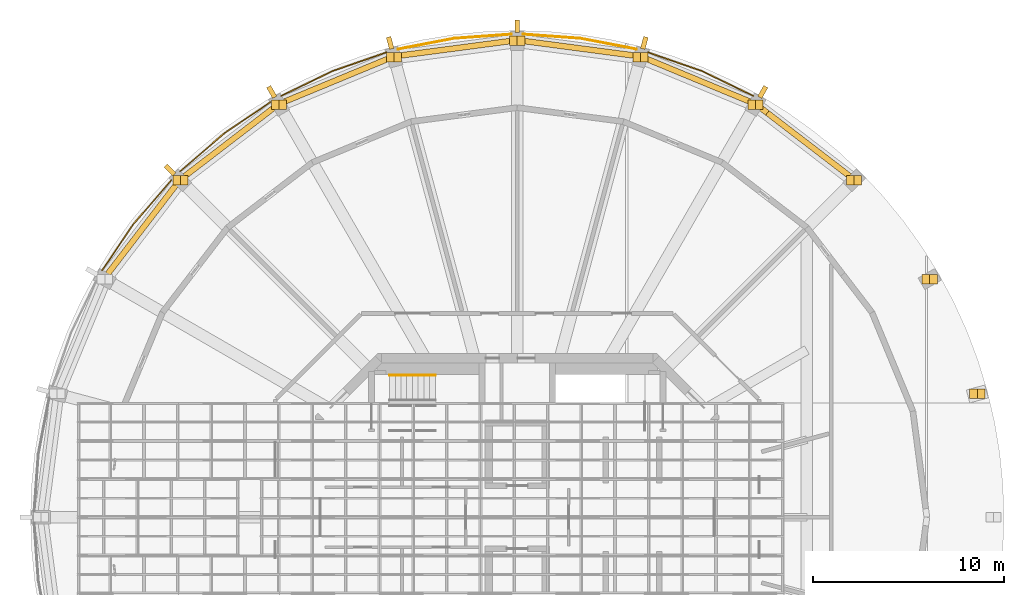
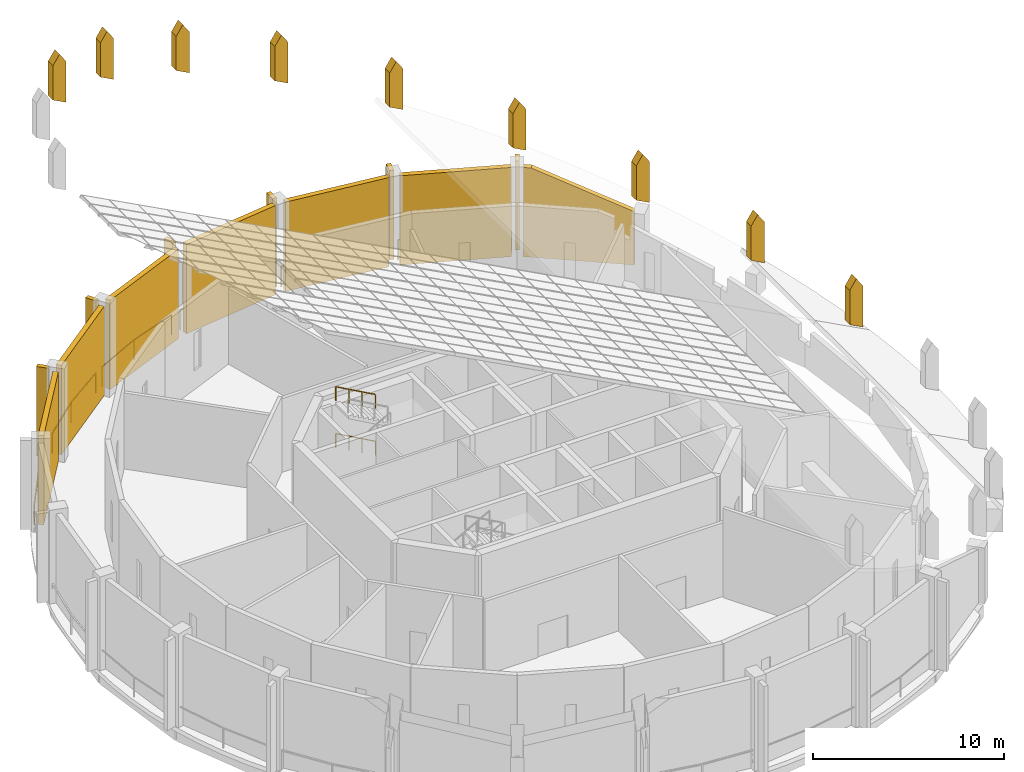
# One storey, part 19 of 19: 15 coverings, 8 railings, 7 shading devices.
"""IFC4 building model written with IfcOpenShell, lengths in metres."""

from ifc_helpers import new_model, si_unit, direction, frame, origin, origin_2d, place, context, subcontext, project, spatial, polyline, rectangle, outline, extrude, material, material_profile, profile_set, type_object, element, save


model = new_model("IFC4")

# Units and contexts
model_context = context("Model", 3, precision=1e-05, world=origin(), true_north=direction((0.0, 1.0)))
body_context = subcontext(model_context, "Body", "Model", "MODEL_VIEW")
ifc_project = project(units=[si_unit("LENGTHUNIT", "METRE"), si_unit("AREAUNIT", "SQUARE_METRE"), si_unit("VOLUMEUNIT", "CUBIC_METRE"), si_unit("PLANEANGLEUNIT", "RADIAN"), si_unit("MASSUNIT", "GRAM", prefix="KILO")], contexts=[model_context])

# Site, building, storey
site_placement = place(None, origin())
site = spatial("IfcSite", under=ifc_project, at=site_placement, CompositionType="ELEMENT")
building_placement = place(site_placement, origin())
building = spatial("IfcBuilding", under=site, at=building_placement, Name="Torre Triforio", CompositionType="ELEMENT")
storey_placement = place(building_placement, frame((0.0, 0.0, 290.800048828125)))
storey = spatial("IfcBuildingStorey", under=building, at=storey_placement, Name="RF-1", CompositionType="ELEMENT", Elevation=290.800048828125)

# Railings
ifc_material_1 = material(Name="Stainless steel AISI 316", Category="steel")
railing_type_1 = type_object("IfcRailingType", Name="HANDRAIL 920", PredefinedType="HANDRAIL", material=ifc_material_1)
for number, where, name in (
    (1, (-4.300048828125, 7.449951171875, 1.66650390625), "Handrail ST1"),
    (2, (-4.300048828125, 7.449951171875, 4.66650390625), "Handrail ST1"),
):
    element("IfcRailing", number, at=place(storey_placement, frame(where)), inside=storey, type_object=railing_type_1, Name=name, PredefinedType="HANDRAIL", context=body_context, shape_type="SweptSolid", body=[
        extrude(rectangle(XDim=0.048095703125, YDim=0.048095703125, at=origin_2d()), frame((0.0, 0.0, 0.89599609375), z_axis=(-0.874123717778, 0.0, 0.485703331282), x_axis=(0.0, -1.0, 0.0)), (0.0, 0.0, 1.0), 2.74560546875),
        extrude(rectangle(XDim=0.0419921875, YDim=0.0419921875, at=origin_2d()), origin(), (0.0, 0.0, 1.0), 0.871826171875),
        extrude(rectangle(XDim=0.0419921875, YDim=0.0419921875, at=origin_2d()), frame((-0.800048828125, 0.0, 0.444580078125)), (0.0, 0.0, 1.0), 0.871826171875),
        extrude(rectangle(XDim=0.0419921875, YDim=0.0419921875, at=origin_2d()), frame((-1.599853515625, 0.0, 0.888916015625)), (0.0, 0.0, 1.0), 0.871826171875),
        extrude(rectangle(XDim=0.0419921875, YDim=0.0419921875, at=origin_2d()), frame((-2.39990234375, 0.0, 1.33349609375)), (0.0, 0.0, 1.0), 0.871826171875),
    ])
railing_type_2 = type_object("IfcRailingType", Name="Loggia guard 1300", PredefinedType="GUARDRAIL", material=ifc_material_1)
railing_1_placement = place(storey_placement, frame((12.39794921875, 22.11376953125, 0.0)))
element("IfcRailing", 3, at=railing_1_placement, inside=storey, type_object=railing_type_2, Name="Loggia guard RF-1 bay 05", PredefinedType="GUARDRAIL", context=body_context, shape_type="SweptSolid", body=[
    extrude(rectangle(XDim=0.050048828125, YDim=0.050048828125, at=origin_2d()), frame((0.0, 0.0, 1.27490234375), z_axis=(-0.899945864081, 0.43600165335, 0.0), x_axis=(-0.43600165335, -0.899945864081, 0.0)), (0.0, 0.0, 1.0), 2.996826171875),
    extrude(rectangle(XDim=0.050048828125, YDim=0.050048828125, at=origin_2d()), frame((-2.697021484375, 1.306640625, 1.27490234375), z_axis=(-0.944674716123, 0.328008659518, 0.0), x_axis=(-0.328008659518, -0.944674716123, 0.0)), (0.0, 0.0, 1.0), 2.99658203125),
    extrude(rectangle(XDim=0.0400390625, YDim=0.0400390625, at=origin_2d()), origin(), (0.0, 0.0, 1.0), 1.25),
    extrude(rectangle(XDim=0.0400390625, YDim=0.0400390625, at=origin_2d()), frame((-2.697021484375, 1.306640625, 0.0)), (0.0, 0.0, 1.0), 1.25),
    extrude(rectangle(XDim=0.0400390625, YDim=0.0400390625, at=origin_2d()), frame((-5.52783203125, 2.28955078125, 0.0)), (0.0, 0.0, 1.0), 1.25),
])
railing_2_placement = place(storey_placement, frame((6.251953125, 24.569091796875, 0.0)))
element("IfcRailing", 4, at=railing_2_placement, inside=storey, type_object=railing_type_2, Name="Loggia guard RF-1 bay 06", PredefinedType="GUARDRAIL", context=body_context, shape_type="SweptSolid", body=[
    extrude(rectangle(XDim=0.050048828125, YDim=0.050048828125, at=origin_2d()), frame((0.0, 0.0, 1.27490234375), z_axis=(-0.98213116955, 0.18819767745, 0.0), x_axis=(-0.18819767745, -0.98213116955, 0.0)), (0.0, 0.0, 1.0), 2.99658203125),
    extrude(rectangle(XDim=0.050048828125, YDim=0.050048828125, at=origin_2d()), frame((-2.943115234375, 0.56396484375, 1.27490234375), z_axis=(-0.997373634133, 0.072428129451, 0.0), x_axis=(-0.072428129451, -0.997373634133, 0.0)), (0.0, 0.0, 1.0), 2.99658203125),
    extrude(rectangle(XDim=0.0400390625, YDim=0.0400390625, at=origin_2d()), origin(), (0.0, 0.0, 1.0), 1.25),
    extrude(rectangle(XDim=0.0400390625, YDim=0.0400390625, at=origin_2d()), frame((-2.943115234375, 0.56396484375, 0.0)), (0.0, 0.0, 1.0), 1.25),
    extrude(rectangle(XDim=0.0400390625, YDim=0.0400390625, at=origin_2d()), frame((-5.931884765625, 0.781005859375, 0.0)), (0.0, 0.0, 1.0), 1.25),
])
railing_3_placement = place(storey_placement, frame((-0.320068359375, 25.35009765625, 0.0)))
element("IfcRailing", 5, at=railing_3_placement, inside=storey, type_object=railing_type_2, Name="Loggia guard RF-1 bay 07", PredefinedType="GUARDRAIL", context=body_context, shape_type="SweptSolid", body=[
    extrude(rectangle(XDim=0.050048828125, YDim=0.050048828125, at=origin_2d()), frame((0.0, 0.0, 1.27490234375), z_axis=(-0.997373634133, -0.072428129451, 0.0), x_axis=(0.072428129451, -0.997373634133, 0.0)), (0.0, 0.0, 1.0), 2.99658203125),
    extrude(rectangle(XDim=0.050048828125, YDim=0.050048828125, at=origin_2d()), frame((-2.98876953125, -0.217041015625, 1.27490234375), z_axis=(-0.98213116955, -0.18819767745, 0.0), x_axis=(0.18819767745, -0.98213116955, 0.0)), (0.0, 0.0, 1.0), 2.99658203125),
    extrude(rectangle(XDim=0.0400390625, YDim=0.0400390625, at=origin_2d()), origin(), (0.0, 0.0, 1.0), 1.25),
    extrude(rectangle(XDim=0.0400390625, YDim=0.0400390625, at=origin_2d()), frame((-2.98876953125, -0.217041015625, 0.0)), (0.0, 0.0, 1.0), 1.25),
    extrude(rectangle(XDim=0.0400390625, YDim=0.0400390625, at=origin_2d()), frame((-5.931884765625, -0.781005859375, 0.0)), (0.0, 0.0, 1.0), 1.25),
])
railing_4_placement = place(storey_placement, frame((-6.8701171875, 24.4033203125, 0.0)))
element("IfcRailing", 6, at=railing_4_placement, inside=storey, type_object=railing_type_2, Name="Loggia guard RF-1 bay 08", PredefinedType="GUARDRAIL", context=body_context, shape_type="SweptSolid", body=[
    extrude(rectangle(XDim=0.050048828125, YDim=0.050048828125, at=origin_2d()), frame((0.0, 0.0, 1.27490234375), z_axis=(-0.944674716123, -0.328008659518, 0.0), x_axis=(0.328008659518, -0.944674716123, 0.0)), (0.0, 0.0, 1.0), 2.99658203125),
    extrude(rectangle(XDim=0.050048828125, YDim=0.050048828125, at=origin_2d()), frame((-2.830810546875, -0.98291015625, 1.27490234375), z_axis=(-0.899945864081, -0.43600165335, 0.0), x_axis=(0.43600165335, -0.899945864081, 0.0)), (0.0, 0.0, 1.0), 2.996826171875),
    extrude(rectangle(XDim=0.0400390625, YDim=0.0400390625, at=origin_2d()), origin(), (0.0, 0.0, 1.0), 1.25),
    extrude(rectangle(XDim=0.0400390625, YDim=0.0400390625, at=origin_2d()), frame((-2.830810546875, -0.98291015625, 0.0)), (0.0, 0.0, 1.0), 1.25),
    extrude(rectangle(XDim=0.0400390625, YDim=0.0400390625, at=origin_2d()), frame((-5.52783203125, -2.28955078125, 0.0)), (0.0, 0.0, 1.0), 1.25),
])
railing_5_placement = place(storey_placement, frame((-12.9521484375, 21.793701171875, 0.0)))
element("IfcRailing", 7, at=railing_5_placement, inside=storey, type_object=railing_type_2, Name="Loggia guard RF-1 bay 09", PredefinedType="GUARDRAIL", context=body_context, shape_type="SweptSolid", body=[
    extrude(rectangle(XDim=0.050048828125, YDim=0.050048828125, at=origin_2d()), frame((0.0, 0.0, 1.27490234375), z_axis=(-0.82758661631, -0.561338037643, 0.0), x_axis=(0.561338037643, -0.82758661631, 0.0)), (0.0, 0.0, 1.0), 2.99658203125),
    extrude(rectangle(XDim=0.050048828125, YDim=0.050048828125, at=origin_2d()), frame((-2.47998046875, -1.68212890625, 1.27490234375), z_axis=(-0.756414371673, -0.65409272915, 0.0), x_axis=(0.65409272915, -0.756414371673, 0.0)), (0.0, 0.0, 1.0), 2.996826171875),
    extrude(rectangle(XDim=0.0400390625, YDim=0.0400390625, at=origin_2d()), origin(), (0.0, 0.0, 1.0), 1.25),
    extrude(rectangle(XDim=0.0400390625, YDim=0.0400390625, at=origin_2d()), frame((-2.47998046875, -1.68212890625, 0.0)), (0.0, 0.0, 1.0), 1.25),
    extrude(rectangle(XDim=0.0400390625, YDim=0.0400390625, at=origin_2d()), frame((-4.746826171875, -3.642333984375, 0.0)), (0.0, 0.0, 1.0), 1.25),
])
railing_6_placement = place(storey_placement, frame((-18.1513671875, 17.698974609375, 0.0)))
element("IfcRailing", 8, at=railing_6_placement, inside=storey, type_object=railing_type_2, Name="Loggia guard RF-1 bay 10", PredefinedType="GUARDRAIL", context=body_context, shape_type="SweptSolid", body=[
    extrude(rectangle(XDim=0.050048828125, YDim=0.050048828125, at=origin_2d()), frame((0.0, 0.0, 1.27490234375), z_axis=(-0.65409272915, -0.756414371673, 0.0), x_axis=(0.756414371673, -0.65409272915, 0.0)), (0.0, 0.0, 1.0), 2.996826171875),
    extrude(rectangle(XDim=0.050048828125, YDim=0.050048828125, at=origin_2d()), frame((-1.960205078125, -2.266845703125, 1.27490234375), z_axis=(-0.561338037643, -0.82758661631, 0.0), x_axis=(0.82758661631, -0.561338037643, 0.0)), (0.0, 0.0, 1.0), 2.99658203125),
    extrude(rectangle(XDim=0.0400390625, YDim=0.0400390625, at=origin_2d()), origin(), (0.0, 0.0, 1.0), 1.25),
    extrude(rectangle(XDim=0.0400390625, YDim=0.0400390625, at=origin_2d()), frame((-1.960205078125, -2.266845703125, 0.0)), (0.0, 0.0, 1.0), 1.25),
    extrude(rectangle(XDim=0.0400390625, YDim=0.0400390625, at=origin_2d()), frame((-3.642333984375, -4.746826171875, 0.0)), (0.0, 0.0, 1.0), 1.25),
])

# Coverings
ifc_material_2 = material(Name="Limestone fin", Category="masonry")
ifc_material_profile_1 = material_profile(ifc_material_2, rectangle(XDim=0.64990234375, YDim=0.25, at=origin_2d()), Name="FIN 650x250")
ifc_profile_set_1 = profile_set([ifc_material_profile_1], Name="Limestone fin")
covering_type_1 = type_object("IfcCoveringType", Name="Stone fin 650 x 250", PredefinedType="CLADDING", material=ifc_profile_set_1)
for number, where, z_axis, x_axis, name in (
    (9, (12.887451171875, 22.32177734375, 0.0), (0.0, 0.0, 1.0), (0.5, 0.866025403784, 0.0), "Stone fin C05 RF-1"),
    (10, (6.671142578125, 24.896728515625, 0.0), (0.0, 0.0, 1.0), (0.258819045103, 0.965925826289, 0.0), "Stone fin C06 RF-1"),
    (11, (0.0, 25.77490234375, 0.0), (0.0, 0.0, 1.0), (0.0, 1.0, 0.0), "Stone fin C07 RF-1"),
    (12, (-6.671142578125, 24.896728515625, 0.0), (0.0, 0.0, 1.0), (-0.258819045103, 0.965925826289, 0.0), "Stone fin C08 RF-1"),
    (13, (-12.887451171875, 22.32177734375, 0.0), (0.0, 0.0, 1.0), (-0.5, 0.866025403784, 0.0), "Stone fin C09 RF-1"),
    (14, (-18.2255859375, 18.2255859375, 0.0), (0.0, 0.0, 1.0), (-0.707106781187, 0.707106781187, 0.0), "Stone fin C10 RF-1"),
):
    element("IfcCovering", number, at=place(storey_placement, frame(where, z_axis=z_axis, x_axis=x_axis)), inside=storey, type_object=covering_type_1, Name=name, PredefinedType="CLADDING", context=body_context, shape_type="SweptSolid", body=[
        extrude(rectangle(XDim=0.64990234375, YDim=0.25, at=origin_2d()), origin(), (0.0, 0.0, 1.0), 5.719970703125),
    ])
ifc_material_profile_2 = material_profile(ifc_material_2, outline(polyline([(-0.39990234375, -0.212646484375), (0.39990234375, 0.212646484375), (0.39990234375, 2.41259765625), (0.0, 3.0126953125), (-0.39990234375, 2.41259765625), (-0.39990234375, -0.212646484375)])), Name="FIN PINNACLE 800x500")
ifc_profile_set_2 = profile_set([ifc_material_profile_2], Name="Limestone fin")
covering_type_2 = type_object("IfcCoveringType", Name="Stone fin pinnacle 800 x 500", PredefinedType="CLADDING", material=ifc_profile_set_2)
for number, where, z_axis, x_axis, name in (
    (15, (24.148193359375, 6.220458984375, 0.745361328125), (0.0, 1.0, 0.0), (-1.0, 0.0, 0.0), "Pinnacle C02"),
    (16, (21.650634765625, 12.25, 2.0732421875), (0.0, 1.0, 0.0), (-1.0, 0.0, 0.0), "Pinnacle C03"),
    (17, (17.677734375, 17.427734375, 4.185791015625), (0.0, 1.0, 0.0), (-1.0, 0.0, 0.0), "Pinnacle C04"),
    (18, (12.5, 21.400634765625, 6.938720703125), (0.0, 1.0, 0.0), (-1.0, 0.0, 0.0), "Pinnacle C05"),
    (19, (6.470458984375, 23.898193359375, 10.144775390625), (0.0, 1.0, 0.0), (-1.0, 0.0, 0.0), "Pinnacle C06"),
    (20, (0.0, 24.75, 13.585205078125), (0.0, 1.0, 0.0), (-1.0, 0.0, 0.0), "Pinnacle C07"),
    (21, (-6.470458984375, 23.898193359375, 17.025634765625), (0.0, 1.0, 0.0), (-1.0, 0.0, 0.0), "Pinnacle C08"),
    (22, (-12.5, 21.400634765625, 20.2314453125), (0.0, 1.0, 0.0), (-1.0, 0.0, 0.0), "Pinnacle C09"),
    (23, (-17.677734375, 17.427734375, 22.984619140625), (0.0, 1.0, 0.0), (-1.0, 0.0, 0.0), "Pinnacle C10"),
):
    element("IfcCovering", number, at=place(storey_placement, frame(where, z_axis=z_axis, x_axis=x_axis)), inside=storey, type_object=covering_type_2, Name=name, PredefinedType="CLADDING", context=body_context, shape_type="SweptSolid", body=[
        extrude(outline(polyline([(-0.39990234375, -0.212646484375), (0.39990234375, 0.212646484375), (0.39990234375, 2.41259765625), (0.0, 3.0126953125), (-0.39990234375, 2.41259765625), (-0.39990234375, -0.212646484375)])), origin(), (0.0, 0.0, 1.0), 0.5),
    ])

# Shading devices
shading_device_1_placement = place(storey_placement, frame((17.451416015625, 17.90380859375, 0.0), z_axis=(0.0, 0.0, 1.0), x_axis=(-0.793358193576, 0.608755104033, 0.0)))
element("IfcShadingDevice", 24, at=shading_device_1_placement, inside=storey, Name="Crown louvre screen RF-1 bay 04", PredefinedType="JALOUSIE", context=body_context, shape_type="SweptSolid", body=[
    extrude(outline(polyline([(0.0, 0.0), (5.891845703125, 0.0), (5.891845703125, 5.719970703125), (5.448974609375, 5.719970703125), (0.0, 3.42138671875), (0.0, 0.0)])), frame((0.0, 0.14990234375, 0.0), z_axis=(0.0, -1.0, 0.0), x_axis=(1.0, 0.0, 0.0)), (0.0, 0.0, 1.0), 0.300048828125),
])
shading_device_2_placement = place(storey_placement, frame((12.222900390625, 21.810546875, 0.0), z_axis=(0.0, 0.0, 1.0), x_axis=(-0.923884009374, 0.382672624084, 0.0)))
element("IfcShadingDevice", 25, at=shading_device_2_placement, inside=storey, Name="Crown louvre screen RF-1 bay 05", PredefinedType="JALOUSIE", context=body_context, shape_type="SweptSolid", body=[
    extrude(outline(polyline([(0.0, 0.0), (5.891845703125, 0.0), (5.891845703125, 5.719970703125), (0.0, 5.719970703125), (0.0, 0.0)])), frame((0.0, 0.14990234375, 0.0), z_axis=(0.0, -1.0, 0.0), x_axis=(1.0, 0.0, 0.0)), (0.0, 0.0, 1.0), 0.300048828125),
])
for number, where, z_axis, x_axis, name in (
    (26, (6.161376953125, 24.23095703125, 0.0), (0.0, 0.0, 1.0), (-0.991444419808, 0.130529546201, 0.0), "Crown louvre screen RF-1 bay 06"),
    (27, (-0.320068359375, 25.0, 0.0), (0.0, 0.0, 1.0), (-0.991444419808, -0.130529546201, 0.0), "Crown louvre screen RF-1 bay 07"),
):
    element("IfcShadingDevice", number, at=place(storey_placement, frame(where, z_axis=z_axis, x_axis=x_axis)), inside=storey, Name=name, PredefinedType="JALOUSIE", context=body_context, shape_type="SweptSolid", body=[
        extrude(outline(polyline([(0.0, 0.0), (5.8916015625, 0.0), (5.891845703125, 5.719970703125), (0.0, 5.719970703125), (0.0, 0.0)])), frame((0.0, 0.14990234375, 0.0), z_axis=(0.0, -1.0, 0.0), x_axis=(1.0, 0.0, 0.0)), (0.0, 0.0, 1.0), 0.300048828125),
    ])
for number, where, z_axis, x_axis, name in (
    (28, (-6.779541015625, 24.065185546875, 0.0), (0.0, 0.0, 1.0), (-0.923884009374, -0.382672624084, 0.0), "Crown louvre screen RF-1 bay 08"),
    (29, (-12.777099609375, 21.490478515625, 0.0), (0.0, 0.0, 1.0), (-0.793358193576, -0.608755104033, 0.0), "Crown louvre screen RF-1 bay 09"),
    (30, (-17.90380859375, 17.451416015625, 0.0), (0.0, 0.0, 1.0), (-0.608755104033, -0.793358193576, 0.0), "Crown louvre screen RF-1 bay 10"),
):
    element("IfcShadingDevice", number, at=place(storey_placement, frame(where, z_axis=z_axis, x_axis=x_axis)), inside=storey, Name=name, PredefinedType="JALOUSIE", context=body_context, shape_type="SweptSolid", body=[
        extrude(outline(polyline([(0.0, 0.0), (5.891845703125, 0.0), (5.891845703125, 5.719970703125), (0.0, 5.719970703125), (0.0, 0.0)])), frame((0.0, 0.14990234375, 0.0), z_axis=(0.0, -1.0, 0.0), x_axis=(1.0, 0.0, 0.0)), (0.0, 0.0, 1.0), 0.300048828125),
    ])

save(model, "model.ifc")
